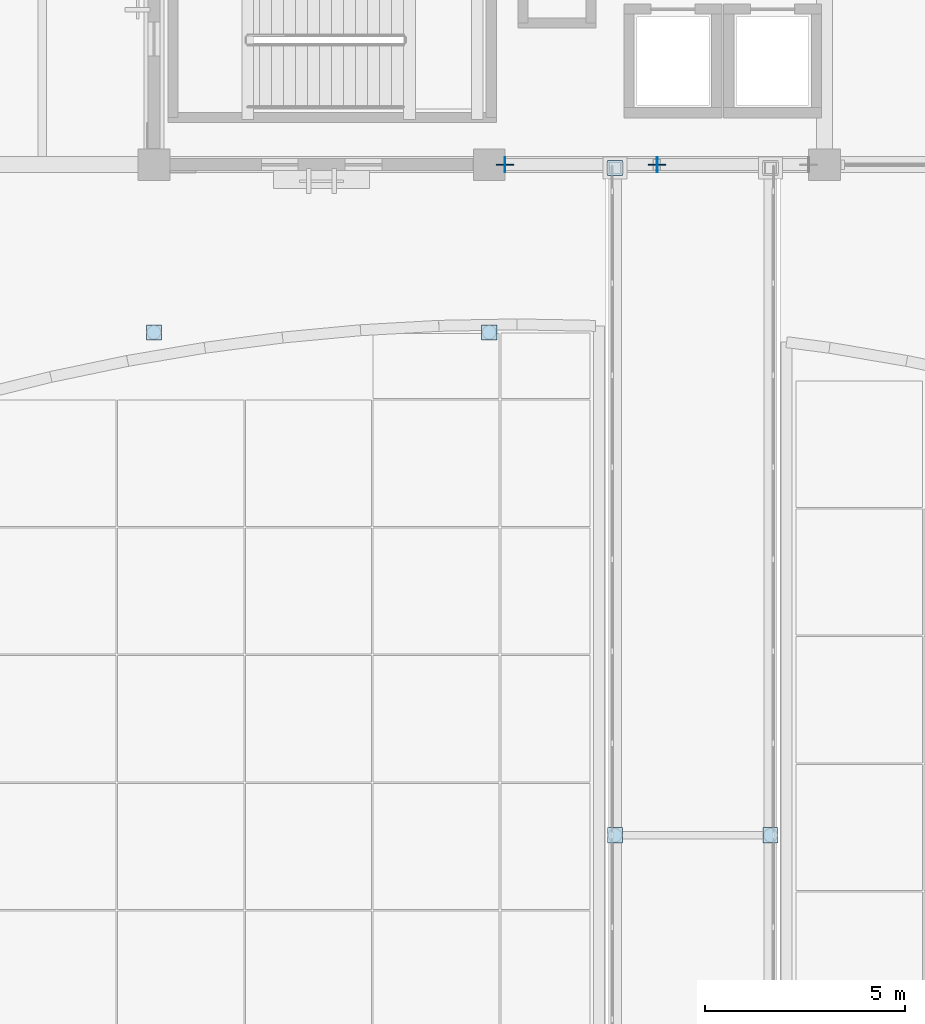
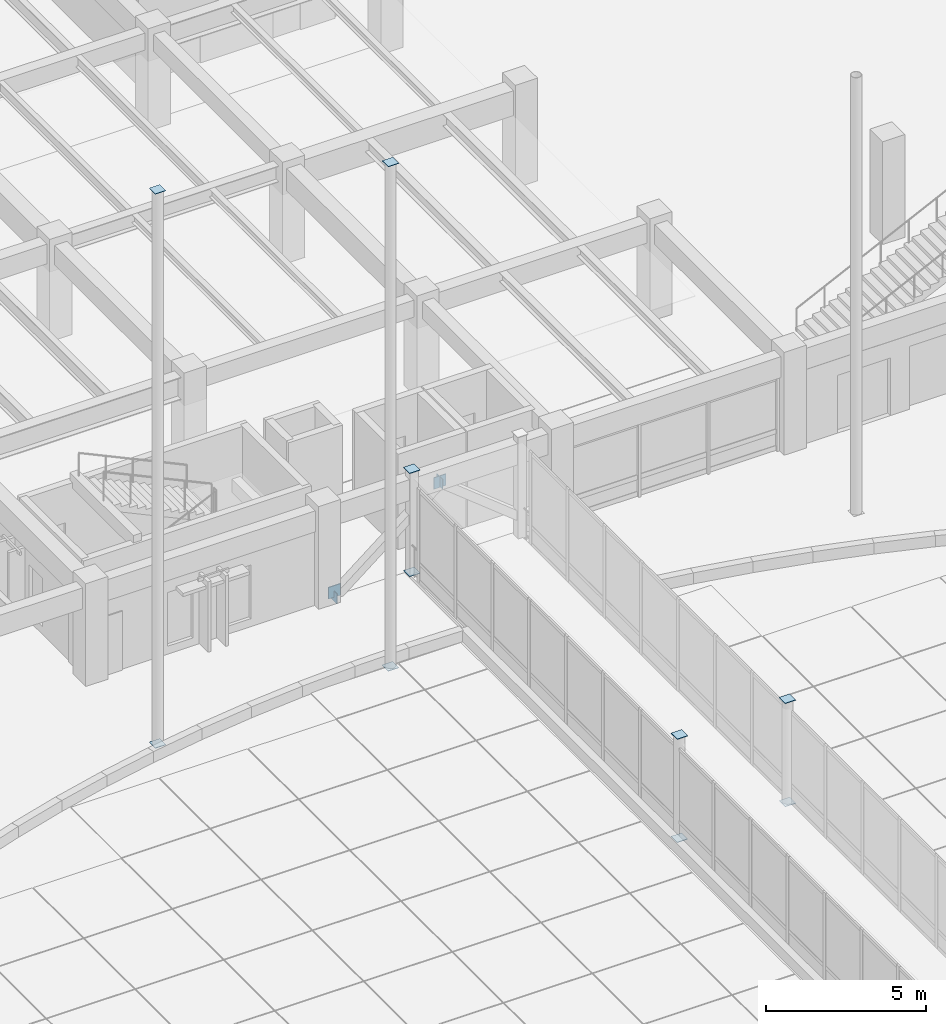
# One storey, part 78 of 135: 14 plates.
"""IFC4 building model written with IfcOpenShell, lengths in metres."""

from ifc_helpers import new_model, si_unit, direction, frame, origin, origin_2d, place, context, subcontext, project, spatial, rectangle, extrude, material, layer, layer_set, type_object, element, save


model = new_model("IFC4")

# Units and contexts
model_context = context("Model", 3, precision=1e-05, world=origin(), true_north=direction((0.0, 1.0)))
body_context = subcontext(model_context, "Body", "Model", "MODEL_VIEW")
ifc_project = project(units=[si_unit("LENGTHUNIT", "METRE"), si_unit("AREAUNIT", "SQUARE_METRE"), si_unit("VOLUMEUNIT", "CUBIC_METRE"), si_unit("PLANEANGLEUNIT", "RADIAN"), si_unit("MASSUNIT", "GRAM", prefix="KILO")], contexts=[model_context])

# Site, building, storey
site_placement = place(None, origin())
site = spatial("IfcSite", under=ifc_project, at=site_placement, CompositionType="ELEMENT")
building_placement = place(site_placement, origin())
building = spatial("IfcBuilding", under=site, at=building_placement, Name="Cumbredor Promenade Congress Hotel", CompositionType="ELEMENT")
storey_placement = place(building_placement, origin())
storey = spatial("IfcBuildingStorey", under=building, at=storey_placement, Name="L00", CompositionType="ELEMENT", Elevation=0.0)

# Plates
ifc_material = material(Name="Steel ASTM A572 Grade 50", Category="steel")
ifc_layer_1 = layer(ifc_material, 0.02001953125, Name="Steel ASTM A572 Grade 50", Category="steel")
ifc_layer_set_1 = layer_set([ifc_layer_1], Name="Steel ASTM A572 Grade 50")
plate_type_1 = type_object("IfcPlateType", Name="Hollow Section End Cap Plate CP-04", PredefinedType="USERDEFINED", material=ifc_layer_set_1)
for number, where, z_axis, x_axis, name in (
    (1, (101.19384765625, 84.0, -0.19482421875), (0.0, 0.0, 1.0), (1.0, 0.0, 0.0), "L00 Chevron Seismic Brace 12A Start Cap Plate"),
    (2, (105.00634765625, 84.0, 2.844970703125), (0.0, 0.0, 1.0), (1.0, 0.0, 0.0), "L00 Chevron Seismic Brace 12A End Cap Plate"),
):
    element("IfcPlate", number, at=place(storey_placement, frame(where, z_axis=z_axis, x_axis=x_axis)), inside=storey, type_object=plate_type_1, Name=name, ObjectType="CAP PLATE", PredefinedType="USERDEFINED", context=body_context, shape_type="SweptSolid", body=[
        extrude(rectangle(XDim=0.02001953125, YDim=0.3798828125, at=origin_2d()), origin(), (0.0, 0.0, 1.0), 0.3798828125),
    ])
for number, where, z_axis, x_axis, name in (
    (3, (92.39990234375, 79.800048828125, -0.01806640625), (0.0, 0.0, 1.0), (1.0, 0.0, 0.0), "Pre-Function and Breakout Meeting Forum Slim Overhang Pavilion Column 01 Start Cap Plate"),
    (4, (92.39990234375, 79.800048828125, 21.11474609375), (0.0, 0.0, 1.0), (1.0, 0.0, 0.0), "Pre-Function and Breakout Meeting Forum Slim Overhang Pavilion Column 01 End Cap Plate"),
    (5, (100.800048828125, 79.800048828125, -0.01806640625), (0.0, 0.0, 1.0), (1.0, 0.0, 0.0), "Pre-Function and Breakout Meeting Forum Slim Overhang Pavilion Column 02 Start Cap Plate"),
    (6, (100.800048828125, 79.800048828125, 19.21435546875), (0.0, 0.0, 1.0), (1.0, 0.0, 0.0), "Pre-Function and Breakout Meeting Forum Slim Overhang Pavilion Column 02 End Cap Plate"),
    (7, (103.949951171875, 83.919921875, -0.01806640625), (0.0, 0.0, 1.0), (1.0, 0.0, 0.0), "L00 Central Reflecting-Pool Promenade Bridge Support Column 3 Start Cap Plate"),
    (8, (103.949951171875, 83.919921875, 3.91796875), (0.0, 0.0, 1.0), (1.0, 0.0, 0.0), "L00 Central Reflecting-Pool Promenade Bridge Support Column 3 End Cap Plate"),
    (9, (103.949951171875, 67.199951171875, -0.01806640625), (0.0, 0.0, 1.0), (1.0, 0.0, 0.0), "L00 Reflecting-Pool Bridge Mid Pier 1 Start Cap Plate"),
    (10, (103.949951171875, 67.199951171875, 3.91796875), (0.0, 0.0, 1.0), (1.0, 0.0, 0.0), "L00 Reflecting-Pool Bridge Mid Pier 1 End Cap Plate"),
    (11, (107.85009765625, 67.199951171875, -0.01806640625), (0.0, 0.0, 1.0), (1.0, 0.0, 0.0), "L00 Reflecting-Pool Bridge Mid Pier 2 Start Cap Plate"),
    (12, (107.85009765625, 67.199951171875, 3.91796875), (0.0, 0.0, 1.0), (1.0, 0.0, 0.0), "L00 Reflecting-Pool Bridge Mid Pier 2 End Cap Plate"),
):
    element("IfcPlate", number, at=place(storey_placement, frame(where, z_axis=z_axis, x_axis=x_axis)), inside=storey, type_object=plate_type_1, Name=name, ObjectType="CAP PLATE", PredefinedType="USERDEFINED", context=body_context, shape_type="SweptSolid", body=[
        extrude(rectangle(XDim=0.3798828125, YDim=0.3798828125, at=origin_2d()), origin(), (0.0, 0.0, 1.0), 0.02001953125),
    ])
ifc_layer_2 = layer(ifc_material, 0.028076171875, Name="Steel ASTM A572 Grade 50", Category="steel")
ifc_layer_set_2 = layer_set([ifc_layer_2], Name="Steel ASTM A572 Grade 50")
plate_type_2 = type_object("IfcPlateType", Name="Space Frame Node Assembly ND-03", PredefinedType="USERDEFINED", material=ifc_layer_set_2)
for number, where, z_axis, x_axis, name in (
    (13, (101.199951171875, 84.0, -0.0400390625), (0.0, 0.0, 1.0), (1.0, 0.0, 0.0), "L00 Seismic Frame Gusset Plate 12-BL"),
    (14, (105.0, 84.0, 2.81005859375), (0.0, 0.0, 1.0), (1.0, 0.0, 0.0), "L00 Seismic Frame Gusset Plate 12-APX"),
):
    element("IfcPlate", number, at=place(storey_placement, frame(where, z_axis=z_axis, x_axis=x_axis)), inside=storey, type_object=plate_type_2, Name=name, ObjectType="GUSSET PLATE", PredefinedType="USERDEFINED", context=body_context, shape_type="SweptSolid", body=[
        extrude(rectangle(XDim=0.43994140625, YDim=0.028076171875, at=origin_2d()), origin(), (0.0, 0.0, 1.0), 0.43994140625),
    ])

save(model, "model.ifc")
